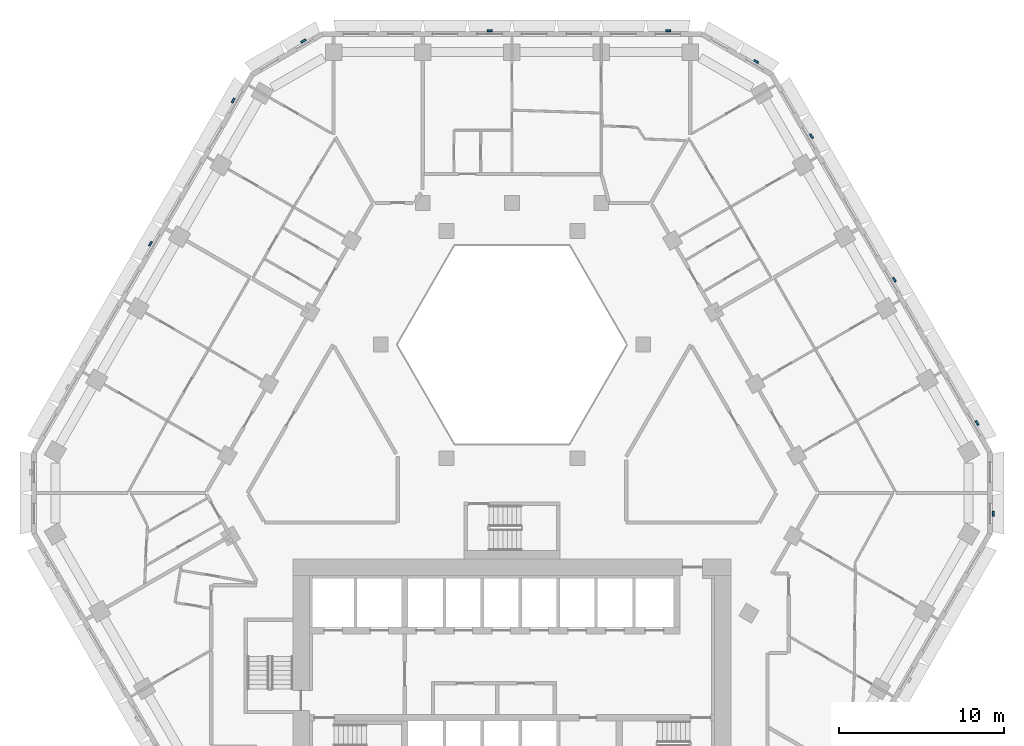
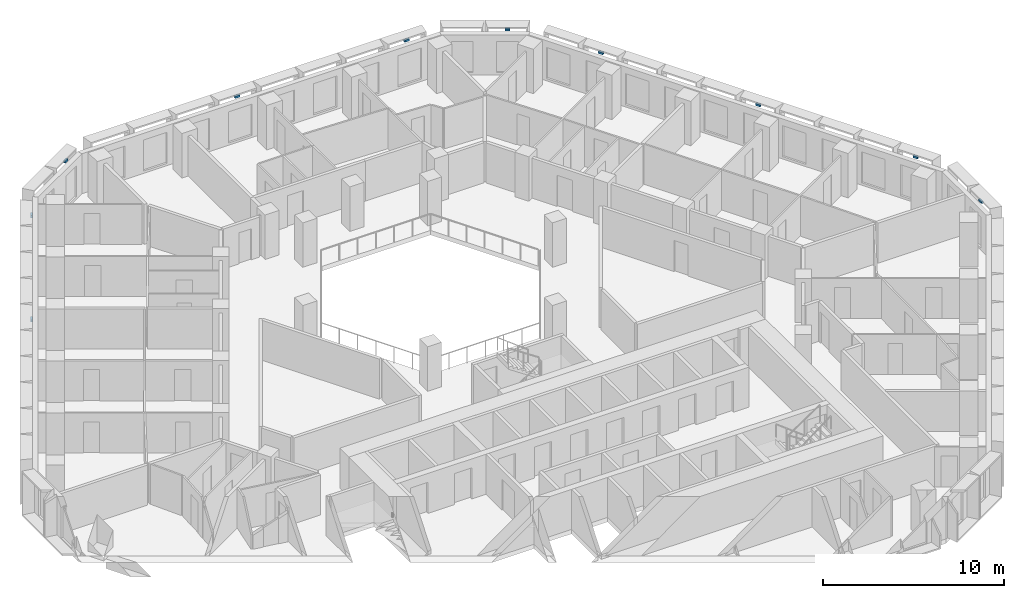
# One storey, part 12 of 18: 10 discrete accessories.
"""IFC4 building model written with IfcOpenShell, lengths in metres."""

from ifc_helpers import new_model, si_unit, direction, frame, origin, place, context, subcontext, project, spatial, polyline, outline, extrude, source, transform, mapped, material, type_object, type_shapes, element, save


model = new_model("IFC4")

# Units and contexts
model_context = context("Model", 3, precision=1e-05, world=origin(), true_north=direction((0.0, 1.0)))
body_context = subcontext(model_context, "Body", "Model", "MODEL_VIEW")
ifc_project = project(units=[si_unit("LENGTHUNIT", "METRE"), si_unit("AREAUNIT", "SQUARE_METRE"), si_unit("VOLUMEUNIT", "CUBIC_METRE"), si_unit("PLANEANGLEUNIT", "RADIAN"), si_unit("MASSUNIT", "GRAM", prefix="KILO")], contexts=[model_context])

# Site, building, storey
site_placement = place(None, origin())
site = spatial("IfcSite", under=ifc_project, at=site_placement, CompositionType="ELEMENT")
building_placement = place(site_placement, origin())
building = spatial("IfcBuilding", under=site, at=building_placement, Name="Beryl Residences", CompositionType="ELEMENT")
storey_placement = place(building_placement, frame((0.0, 0.0, 99.0)))
storey = spatial("IfcBuildingStorey", under=building, at=storey_placement, Name="L30", CompositionType="ELEMENT", Elevation=99.0)

# Discrete accessories
ifc_material = material(Name="Steel S355", Category="steel")
discrete_accessory_type = type_object("IfcDiscreteAccessoryType", Name="BR1 frame bracket 300 x 120 x 150 mm", PredefinedType="BRACKET", material=ifc_material)
shared_shape = source(origin(), body_context, "Body", "SweptSolid", [
    extrude(outline(polyline([(-0.14990234375, 0.0), (0.14990234375, 0.0), (0.14990234375, 0.1201171875), (-0.14990234375, 0.1201171875), (-0.14990234375, 0.0)])), origin(), (0.0, 0.0, 1.0), 0.14990234375),
])
type_shapes(discrete_accessory_type, [shared_shape])
for number, where, z_axis, x_axis, name in (
    (1, (9.471923828125, 27.0, 2.75), (0.0, 0.0, 1.0), (1.0, 0.0, 0.0), "BR1 bracket L30 N 1"),
    (2, (-1.35400390625, 27.0, 2.75), (0.0, 0.0, 1.0), (1.0, 0.0, 0.0), "BR1 bracket L30 N 5"),
    (3, (-12.6298828125, 26.375, 2.75), (0.0, 0.0, 1.0), (0.866025403784, 0.5, 0.0), "BR1 bracket L30 N-NW 1"),
    (4, (-16.865966796875, 22.7880859375, 2.75), (0.0, 0.0, 1.0), (0.5, 0.866025403784, 0.0), "BR1 bracket L30 NW 1"),
    (5, (-21.888916015625, 14.087890625, 2.75), (0.0, 0.0, 1.0), (0.5, 0.866025403784, 0.0), "BR1 bracket L30 NW 5"),
    (6, (29.156982421875, -2.25, 2.75), (0.0, 0.0, 1.0), (0.0, -1.0, 0.0), "BR1 bracket L30 SE-NE 1"),
    (7, (28.16796875, 3.2119140625, 2.75), (0.0, 0.0, 1.0), (0.5, -0.866025403784, 0.0), "BR1 bracket L30 NE 1"),
    (8, (23.14501953125, 11.912109375, 2.75), (0.0, 0.0, 1.0), (0.5, -0.866025403784, 0.0), "BR1 bracket L30 NE 5"),
    (9, (18.1220703125, 20.612060546875, 2.75), (0.0, 0.0, 1.0), (0.5, -0.866025403784, 0.0), "BR1 bracket L30 NE 9"),
    (10, (14.7939453125, 25.125, 2.75), (0.0, 0.0, 1.0), (0.866025403784, -0.5, 0.0), "BR1 bracket L30 NE-N 1"),
):
    element("IfcDiscreteAccessory", number, at=place(storey_placement, frame(where, z_axis=z_axis, x_axis=x_axis)), inside=storey, type_object=discrete_accessory_type, Name=name, PredefinedType="BRACKET", context=body_context, shape_type="MappedRepresentation", body=[
        mapped(shared_shape, transform((0.0, 0.0, 0.0))),
    ])

save(model, "model.ifc")
